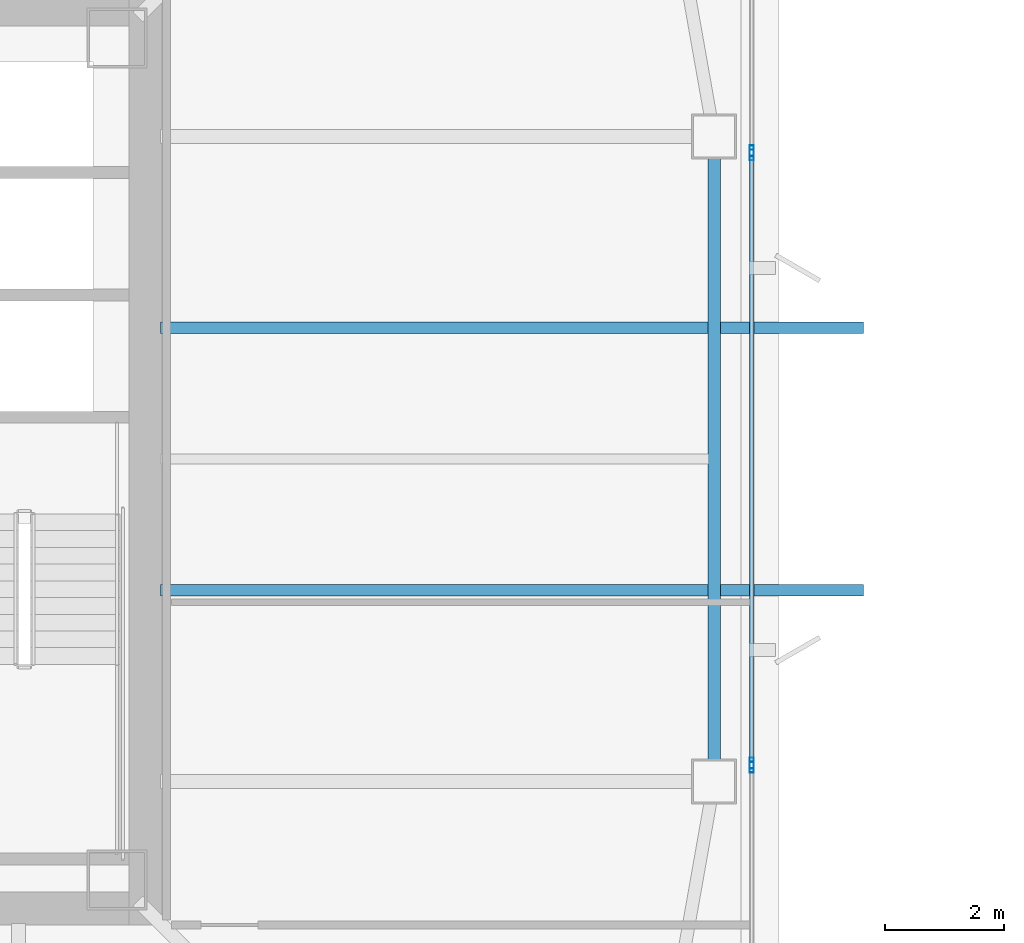
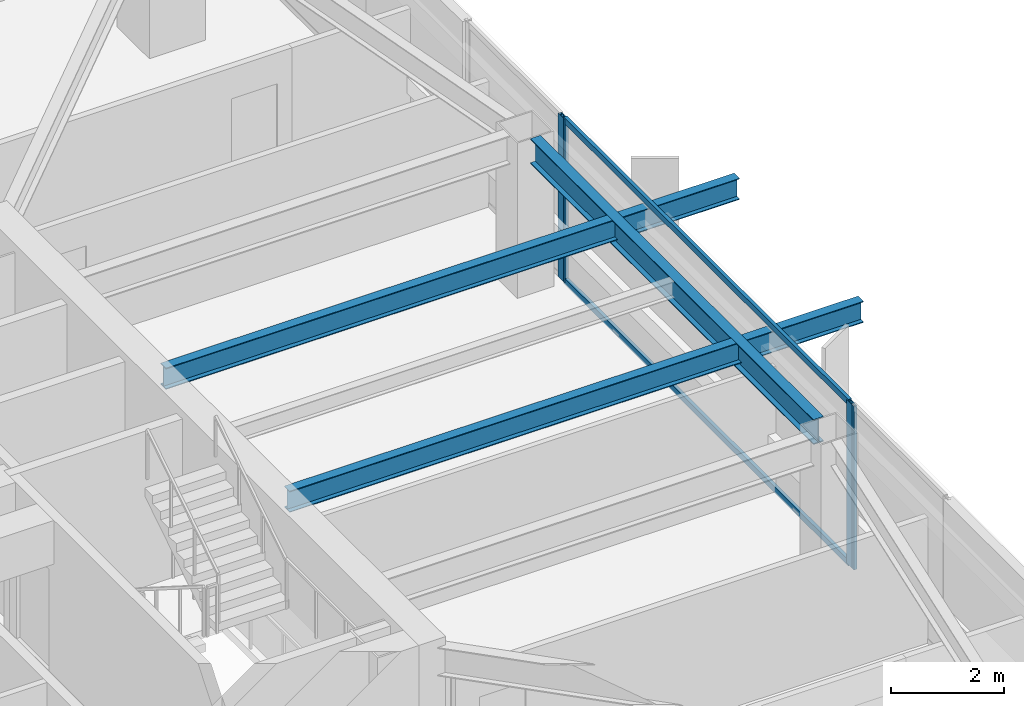
# One storey, part 11 of 46: 6 members, 3 beams, 3 elements without a shape of their own.
"""IFC4 building model written with IfcOpenShell, lengths in metres."""

import ifcopenshell
import ifcopenshell.guid

model = None  # the IFC model being written
_history = None  # IfcOwnerHistory: only IFC2X3 demands one
_inside = {}  # id of a spatial element -> (the spatial element, [elements in it])
_under = {}  # id of a project, library or spatial element -> (it, [spatial elements below it])
_declared = {}  # id of a project -> (the project, [libraries it declares])
_typed = {}  # id of a type object -> (the type object, [elements of that type])
_made_of = {}  # id of a material, layer set ... -> (it, [elements and type objects made of it])


def new_model(schema):
    """Start an empty IFC model of exactly this schema.

    Asked for "IFC4X3", IfcOpenShell would pick the latest addendum, in which some entities
    have other attributes; the version numbers below select the first issue.
    IFC2X3 requires an IfcOwnerHistory on every rooted entity: one is made here for all.
    """
    global model, _history
    if schema == "IFC4X3":
        model = ifcopenshell.file(schema_version=(4, 3, 0, 0))
    else:
        model = ifcopenshell.file(schema=schema)
    _inside.clear()
    _under.clear()
    _declared.clear()
    _typed.clear()
    _made_of.clear()
    _history = None
    if model.schema == "IFC2X3":
        org = make("IfcOrganization", Name="unknown")
        user = make(
            "IfcPersonAndOrganization",
            ThePerson=make("IfcPerson", FamilyName="unknown"),
            TheOrganization=org,
        )
        app = make(
            "IfcApplication",
            ApplicationDeveloper=org,
            Version="unknown",
            ApplicationFullName="unknown",
            ApplicationIdentifier="unknown",
        )
        _history = make(
            "IfcOwnerHistory",
            OwningUser=user,
            OwningApplication=app,
            ChangeAction="ADDED",
            CreationDate=0,
        )
    return model


def make(cls, **values):
    """One entity of the class cls with the attributes given. An attribute that is None is left unset."""
    return model.create_entity(
        cls, **{name: value for name, value in values.items() if value is not None}
    )


def rooted(cls, **values):
    """An entity with a GlobalId (a new one), such as an element, a storey or a relation."""
    return make(cls, GlobalId=ifcopenshell.guid.new(), OwnerHistory=_history, **values)


def si_unit(unit_type, name, prefix=None):
    """IfcSIUnit, for example si_unit("LENGTHUNIT", "METRE", prefix="MILLI")."""
    return make("IfcSIUnit", UnitType=unit_type, Prefix=prefix, Name=name)


def assignment(units):
    """IfcUnitAssignment: the units of a project."""
    return None if units is None else make("IfcUnitAssignment", Units=units)


def point(xyz):
    """IfcCartesianPoint."""
    return None if xyz is None else make("IfcCartesianPoint", Coordinates=xyz)


def direction(xyz):
    """IfcDirection."""
    return None if xyz is None else make("IfcDirection", DirectionRatios=xyz)


def frame(location, z_axis=None, x_axis=None):
    """IfcAxis2Placement3D, a coordinate frame: its origin and axes. An axis left out is left unset."""
    return make(
        "IfcAxis2Placement3D",
        Location=point(location),
        Axis=direction(z_axis),
        RefDirection=direction(x_axis),
    )


def frame_2d(location, x_axis=None):
    """IfcAxis2Placement2D, a coordinate frame in the plane: its origin and x axis."""
    return make(
        "IfcAxis2Placement2D", Location=point(location), RefDirection=direction(x_axis)
    )


def origin():
    """The frame at (0, 0, 0) with its axes left unset."""
    return frame((0.0, 0.0, 0.0))


def origin_2d():
    """The frame at (0, 0) in the plane with its x axis left unset."""
    return frame_2d((0.0, 0.0))


def place(relative_to, where):
    """IfcLocalPlacement: puts the frame where relative to a parent placement (None: the world)."""
    return make(
        "IfcLocalPlacement", PlacementRelTo=relative_to, RelativePlacement=where
    )


def context(
    kind, dimensions, precision=None, world=None, true_north=None, identifier=None
):
    """IfcGeometricRepresentationContext, for example the 3D "Model" context."""
    return make(
        "IfcGeometricRepresentationContext",
        ContextIdentifier=identifier,
        ContextType=kind,
        CoordinateSpaceDimension=dimensions,
        Precision=precision,
        WorldCoordinateSystem=world,
        TrueNorth=true_north,
    )


def subcontext(parent, identifier, kind, view, scale=None):
    """IfcGeometricRepresentationSubContext, for example "Body" below "Model"."""
    return make(
        "IfcGeometricRepresentationSubContext",
        ContextIdentifier=identifier,
        ContextType=kind,
        ParentContext=parent,
        TargetScale=scale,
        TargetView=view,
    )


def project(units=None, contexts=None):
    """IfcProject with its units and contexts."""
    return rooted(
        "IfcProject",
        Name="project",
        RepresentationContexts=contexts,
        UnitsInContext=assignment(units),
    )


def spatial(cls, under=None, at=None, **own):
    """A site, building, storey or space (cls), placed at a placement, below another one or the project."""
    s = rooted(cls, ObjectPlacement=at, **own)
    if under is not None:
        _under.setdefault(under.id(), (under, []))[1].append(s)
    return s


def profile(cls, at=None, kind="AREA", **sizes):
    """A parametric profile (cls). Its sizes go by their IFC names, for example OverallWidth=200.0."""
    return make(cls, ProfileType=kind, Position=at, **sizes)


def hollow_rectangle(**sizes):
    """IfcRectangleHollowProfileDef."""
    return profile("IfcRectangleHollowProfileDef", **sizes)


def i_section(**sizes):
    """IfcIShapeProfileDef."""
    return profile("IfcIShapeProfileDef", **sizes)


def extrude(swept, where, along, depth):
    """IfcExtrudedAreaSolid: the profile swept, set in the frame where, extruded along a direction by depth."""
    return make(
        "IfcExtrudedAreaSolid",
        SweptArea=swept,
        Position=where,
        ExtrudedDirection=direction(along),
        Depth=depth,
    )


def shape(context_of_items, identifier, shape_type, items):
    """IfcShapeRepresentation: the items that make up one representation, for example the "Body"."""
    return make(
        "IfcShapeRepresentation",
        ContextOfItems=context_of_items,
        RepresentationIdentifier=identifier,
        RepresentationType=shape_type,
        Items=items,
    )


def material(Name=None, Category=None):
    """IfcMaterial."""
    return make("IfcMaterial", Name=Name, Category=Category)


def material_profile(
    of_material, cross_section, Name=None, Category=None, Priority=None
):
    """IfcMaterialProfile: a cross section and its material."""
    return make(
        "IfcMaterialProfile",
        Name=Name,
        Material=of_material,
        Profile=cross_section,
        Priority=Priority,
        Category=Category,
    )


def profile_set(profiles, Name=None, composite=None):
    """IfcMaterialProfileSet."""
    return make(
        "IfcMaterialProfileSet",
        Name=Name,
        MaterialProfiles=profiles,
        CompositeProfile=composite,
    )


def made_of(thing, what):
    """Note that an element or type object is made of a material, layer set ...; save() writes the relation."""
    if what is not None:
        _made_of.setdefault(what.id(), (what, []))[1].append(thing)
    return thing


def type_object(cls, material=None, **own):
    """A type object (cls), such as IfcWallType, which elements share."""
    return made_of(rooted(cls, **own), material)


def element(
    cls,
    number,
    at=None,
    inside=None,
    cuts=None,
    type_object=None,
    material=None,
    context=None,
    identifier="Body",
    shape_type=None,
    held_by="IfcProductDefinitionShape",
    body=None,
    shapes=None,
    **own,
):
    """One element of the class cls, such as IfcWall. Its Tag is "e" and its number.

    at: its placement. inside: the storey or other place that contains it. cuts: it is an
    opening in that element (IfcRelVoidsElement). A single representation is given by context,
    identifier, shape_type and body (its items); several are given by shapes. held_by: the class
    of the entity that holds the representations. save() writes the other relations.
    """
    e = rooted(cls, Tag="e%d" % number, ObjectPlacement=at, **own)
    if body is not None:
        shapes = [shape(context, identifier, shape_type, body)]
    if shapes is not None:
        e.Representation = make(held_by, Representations=shapes)
    if inside is not None:
        _inside.setdefault(inside.id(), (inside, []))[1].append(e)
    if cuts is not None:
        rooted(
            "IfcRelVoidsElement", RelatingBuildingElement=cuts, RelatedOpeningElement=e
        )
    if type_object is not None:
        _typed.setdefault(type_object.id(), (type_object, []))[1].append(e)
    return made_of(e, material)


def aggregate(whole, parts):
    """IfcRelAggregates: a whole, such as a stair, and the parts it consists of."""
    return rooted("IfcRelAggregates", RelatingObject=whole, RelatedObjects=parts)


def save(model, path):
    """Write the relations noted so far, then the file.

    IfcRelAggregates (storeys below a building ...), IfcRelContainedInSpatialStructure (elements
    in a storey), IfcRelDefinesByType, IfcRelAssociatesMaterial and IfcRelDeclares: one each for
    every whole, place, type object, material and project.
    """
    for whole, parts in _under.values():
        aggregate(whole, parts)
    for where, things in _inside.values():
        rooted(
            "IfcRelContainedInSpatialStructure",
            RelatedElements=things,
            RelatingStructure=where,
        )
    for kind, things in _typed.values():
        rooted("IfcRelDefinesByType", RelatedObjects=things, RelatingType=kind)
    for what, things in _made_of.values():
        rooted("IfcRelAssociatesMaterial", RelatedObjects=things, RelatingMaterial=what)
    for by, libraries in _declared.values():
        rooted("IfcRelDeclares", RelatingContext=by, RelatedDefinitions=libraries)
    model.write(path)


model = new_model("IFC4")

# Units and contexts
model_context = context("Model", 3, precision=1e-05, world=origin(), true_north=direction((0.0, 1.0)))
body_context = subcontext(model_context, "Body", "Model", "MODEL_VIEW")
ifc_project = project(units=[si_unit("LENGTHUNIT", "METRE"), si_unit("AREAUNIT", "SQUARE_METRE"), si_unit("VOLUMEUNIT", "CUBIC_METRE"), si_unit("PLANEANGLEUNIT", "RADIAN"), si_unit("MASSUNIT", "GRAM", prefix="KILO")], contexts=[model_context])

# Site, building, storey
site_placement = place(None, origin())
site = spatial("IfcSite", under=ifc_project, at=site_placement, CompositionType="ELEMENT")
building_placement = place(site_placement, origin())
building = spatial("IfcBuilding", under=site, at=building_placement, Name="Tashvorn Skyway Center", CompositionType="ELEMENT")
storey_placement = place(building_placement, frame((0.0, 0.0, 167.64990234375)))
storey = spatial("IfcBuildingStorey", under=building, at=storey_placement, Name="L45", CompositionType="ELEMENT", Elevation=167.64990234375)

# Beams
ifc_material_1 = material(Name="Steel ASTM A992 Grade 50", Category="steel")
ifc_material_profile_1 = material_profile(ifc_material_1, i_section(OverallWidth=0.19091796875, OverallDepth=0.4599609375, WebThickness=0.010009765625, FlangeThickness=0.01611328125, at=origin_2d()), Name="W18X55")
ifc_profile_set_1 = profile_set([ifc_material_profile_1], Name="Steel ASTM A992 Grade 50")
beam_type_1 = type_object("IfcBeamType", Name="BM-JOIST-W18X55", PredefinedType="JOIST", material=ifc_profile_set_1)
for number, where, z_axis, x_axis, name in (
    (1, (49.780029296875, 29.800048828125, 3.14013671875), (1.0, 0.0, 0.0), (0.0, 1.0, 0.0), "Tower 1 L46 Terrace Cantilever Outlooker 1"),
    (2, (49.780029296875, 34.199951171875, 3.14013671875), (1.0, 0.0, 0.0), (0.0, 1.0, 0.0), "Tower 1 L46 Terrace Cantilever Outlooker 2"),
):
    element("IfcBeam", number, at=place(storey_placement, frame(where, z_axis=z_axis, x_axis=x_axis)), inside=storey, type_object=beam_type_1, Name=name, PredefinedType="JOIST", context=body_context, shape_type="SweptSolid", body=[
        extrude(i_section(OverallWidth=0.19091796875, OverallDepth=0.4599609375, WebThickness=0.010009765625, FlangeThickness=0.01611328125, at=origin_2d()), origin(), (0.0, 0.0, 1.0), 11.77001953125),
    ])
ifc_material_profile_2 = material_profile(ifc_material_1, i_section(OverallWidth=0.2109375, OverallDepth=0.5390625, WebThickness=0.01171875, FlangeThickness=0.018798828125, at=origin_2d()), Name="W21X73")
ifc_profile_set_2 = profile_set([ifc_material_profile_2], Name="Steel ASTM A992 Grade 50")
beam_type_2 = type_object("IfcBeamType", Name="BM-SPANDREL-W21X73", PredefinedType="SPANDREL", material=ifc_profile_set_2)
beam_placement = place(storey_placement, frame((59.050048828125, 26.969970703125, 3.1005859375), z_axis=(0.0, 1.0, 0.0), x_axis=(-1.0, 0.0, 0.0)))
element("IfcBeam", 3, at=beam_placement, inside=storey, type_object=beam_type_2, Name="Tower 1 L45 Spandrel Beam 05", PredefinedType="SPANDREL", context=body_context, shape_type="SweptSolid", body=[
    extrude(i_section(OverallWidth=0.2109375, OverallDepth=0.5390625, WebThickness=0.01171875, FlangeThickness=0.018798828125, at=origin_2d()), origin(), (0.0, 0.0, 1.0), 10.06005859375),
])

# Curtain wall, member
ifc_material_2 = material(Name="Thermally broken bronze-anodized aluminium 6063-T6", Category="aluminium")
curtain_wall_type = type_object("IfcCurtainWallType", Name="CW-CW-Z4", PredefinedType="NOTDEFINED", material=ifc_material_2)
curtain_wall_1_placement = place(storey_placement, origin())
curtain_wall_1 = element("IfcCurtainWall", 4, at=curtain_wall_1_placement, inside=storey, type_object=curtain_wall_type, Name="Tower 1 L45 East Unitised Curtain Wall Glazing Group 2", PredefinedType="NOTDEFINED")
ifc_material_profile_3 = material_profile(ifc_material_2, hollow_rectangle(XDim=0.070068359375, YDim=0.179931640625, WallThickness=0.00390625, at=origin_2d()), Name="ALU-MULL-70x180")
ifc_profile_set_3 = profile_set([ifc_material_profile_3], Name="Thermally broken bronze-anodized aluminium 6063-T6")
member_type_1 = type_object("IfcMemberType", Name="CWM-CW-Z4", PredefinedType="MULLION", material=ifc_profile_set_3)
member_1_placement = place(storey_placement, frame((59.679931640625, 37.16162109375, 0.0), z_axis=(0.0, 0.0, 1.0), x_axis=(1.0, 0.0, 0.0)))
member_1 = element("IfcMember", 5, at=member_1_placement, type_object=member_type_1, Name="CW-Z4 mullion 2", PredefinedType="MULLION", context=body_context, shape_type="SweptSolid", body=[
    extrude(hollow_rectangle(XDim=0.070068359375, YDim=0.179931640625, WallThickness=0.00390625, at=origin_2d()), origin(), (0.0, 0.0, 1.0), 3.550048828125),
])
aggregate(curtain_wall_1, [member_1])

# Curtain wall, members
curtain_wall_2_placement = place(storey_placement, origin())
curtain_wall_2 = element("IfcCurtainWall", 6, at=curtain_wall_2_placement, inside=storey, type_object=curtain_wall_type, Name="Tower 1 L45 East Unitised Curtain Wall Glazing Group 3", PredefinedType="NOTDEFINED")
member_2_placement = place(storey_placement, frame((59.679931640625, 37.091796875, 0.0), z_axis=(0.0, 0.0, 1.0), x_axis=(1.0, 0.0, 0.0)))
member_2 = element("IfcMember", 7, at=member_2_placement, type_object=member_type_1, Name="CW-Z4 mullion 1", PredefinedType="MULLION", context=body_context, shape_type="SweptSolid", body=[
    extrude(hollow_rectangle(XDim=0.070068359375, YDim=0.179931640625, WallThickness=0.00390625, at=origin_2d()), origin(), (0.0, 0.0, 1.0), 3.550048828125),
])
member_3_placement = place(storey_placement, frame((59.679931640625, 26.908203125, 0.0), z_axis=(0.0, 0.0, 1.0), x_axis=(1.0, 0.0, 0.0)))
member_3 = element("IfcMember", 8, at=member_3_placement, type_object=member_type_1, Name="CW-Z4 mullion 2", PredefinedType="MULLION", context=body_context, shape_type="SweptSolid", body=[
    extrude(hollow_rectangle(XDim=0.070068359375, YDim=0.179931640625, WallThickness=0.00390625, at=origin_2d()), origin(), (0.0, 0.0, 1.0), 3.550048828125),
])

# Curtain wall, member
curtain_wall_3_placement = place(storey_placement, origin())
curtain_wall_3 = element("IfcCurtainWall", 9, at=curtain_wall_3_placement, inside=storey, type_object=curtain_wall_type, Name="Tower 1 L45 East Unitised Curtain Wall Glazing Group 4", PredefinedType="NOTDEFINED")
member_4_placement = place(storey_placement, frame((59.679931640625, 26.83837890625, 0.0), z_axis=(0.0, 0.0, 1.0), x_axis=(1.0, 0.0, 0.0)))
member_4 = element("IfcMember", 10, at=member_4_placement, type_object=member_type_1, Name="CW-Z4 mullion 1", PredefinedType="MULLION", context=body_context, shape_type="SweptSolid", body=[
    extrude(hollow_rectangle(XDim=0.070068359375, YDim=0.179931640625, WallThickness=0.00390625, at=origin_2d()), origin(), (0.0, 0.0, 1.0), 3.550048828125),
])
aggregate(curtain_wall_3, [member_4])

# Member
ifc_material_profile_4 = material_profile(ifc_material_2, hollow_rectangle(XDim=0.070068359375, YDim=0.1298828125, WallThickness=0.00390625, at=origin_2d()), Name="ALU-TRAN-70x130")
ifc_profile_set_4 = profile_set([ifc_material_profile_4], Name="Thermally broken bronze-anodized aluminium 6063-T6")
member_type_2 = type_object("IfcMemberType", Name="CWT-CW-Z4", PredefinedType="USERDEFINED", material=ifc_profile_set_4)
member_5_placement = place(storey_placement, frame((59.679931640625, 37.056640625, 0.03515625), z_axis=(0.0, -1.0, 0.0), x_axis=(1.0, 0.0, 0.0)))
member_5 = element("IfcMember", 11, at=member_5_placement, type_object=member_type_2, Name="CW-Z4 transom 1.1", ObjectType="TRANSOM", PredefinedType="USERDEFINED", context=body_context, shape_type="SweptSolid", body=[
    extrude(hollow_rectangle(XDim=0.070068359375, YDim=0.1298828125, WallThickness=0.00390625, at=origin_2d()), origin(), (0.0, 0.0, 1.0), 10.11328125),
])

member_6_placement = place(storey_placement, frame((59.679931640625, 37.056640625, 3.51513671875), z_axis=(0.0, -1.0, 0.0), x_axis=(1.0, 0.0, 0.0)))
member_6 = element("IfcMember", 12, at=member_6_placement, type_object=member_type_2, Name="CW-Z4 transom 1.2", ObjectType="TRANSOM", PredefinedType="USERDEFINED", context=body_context, shape_type="SweptSolid", body=[
    extrude(hollow_rectangle(XDim=0.070068359375, YDim=0.1298828125, WallThickness=0.00390625, at=origin_2d()), origin(), (0.0, 0.0, 1.0), 10.11328125),
])

aggregate(curtain_wall_2, [member_2, member_3, member_5, member_6])

save(model, "model.ifc")
